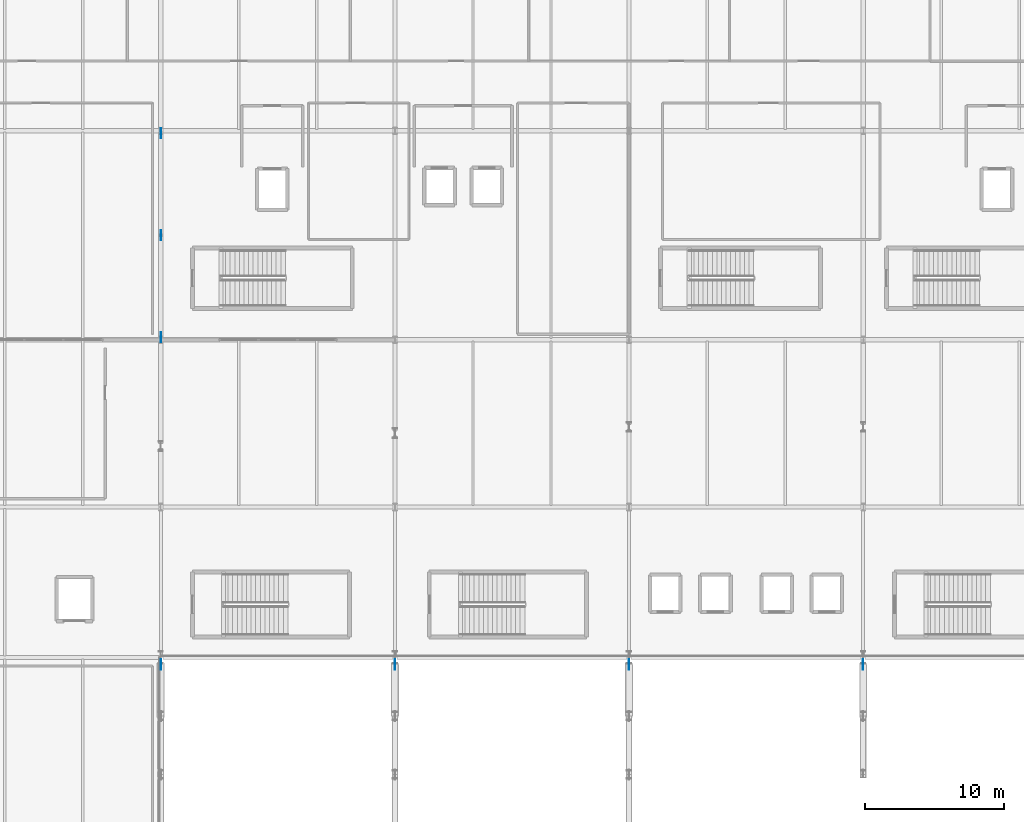
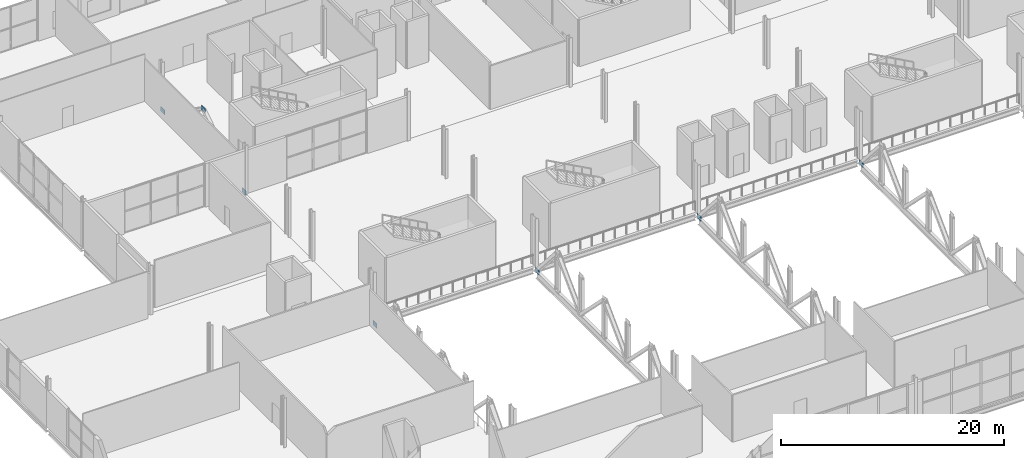
# One storey, part 56 of 84: 7 plates.
"""IFC4 building model written with IfcOpenShell, lengths in metres."""

from ifc_helpers import new_model, si_unit, direction, frame, origin, origin_2d, place, context, subcontext, project, spatial, rectangle, extrude, material, layer, layer_set, type_object, element, save


model = new_model("IFC4")

# Units and contexts
model_context = context("Model", 3, precision=1e-05, world=origin(), true_north=direction((0.0, 1.0)))
body_context = subcontext(model_context, "Body", "Model", "MODEL_VIEW")
ifc_project = project(units=[si_unit("LENGTHUNIT", "METRE"), si_unit("AREAUNIT", "SQUARE_METRE"), si_unit("VOLUMEUNIT", "CUBIC_METRE"), si_unit("PLANEANGLEUNIT", "RADIAN"), si_unit("MASSUNIT", "GRAM", prefix="KILO")], contexts=[model_context])

# Site, building, storey
site_placement = place(None, origin())
site = spatial("IfcSite", under=ifc_project, at=site_placement, CompositionType="ELEMENT")
building_placement = place(site_placement, origin())
building = spatial("IfcBuilding", under=site, at=building_placement, Name="Kimbaza Rail Terminus", CompositionType="ELEMENT")
storey_placement = place(building_placement, frame((0.0, 0.0, 5.39990234375)))
storey = spatial("IfcBuildingStorey", under=building, at=storey_placement, Name="L01", CompositionType="ELEMENT", Elevation=5.39990234375)

# Plates
ifc_material = material(Name="Steel S355", Category="steel")
ifc_layer = layer(ifc_material, 0.034912109375)
ifc_layer_set = layer_set([ifc_layer], Name="Steel S355")
plate_type = type_object("IfcPlateType", Name="STR-PL-WT01", PredefinedType="USERDEFINED", material=ifc_layer_set)
for number, where, z_axis, x_axis, name in (
    (1, (72.0, 79.699951171875, -0.52685546875), (0.0, 0.0, 1.0), (1.0, 0.0, 0.0), "Warren Truss End Gusset Plate GP-01 WT-01"),
    (2, (88.800048828125, 79.699951171875, -0.52685546875), (0.0, 0.0, 1.0), (1.0, 0.0, 0.0), "Warren Truss End Gusset Plate GP-01 WT-02"),
    (3, (105.60009765625, 79.699951171875, -0.52685546875), (0.0, 0.0, 1.0), (1.0, 0.0, 0.0), "Warren Truss End Gusset Plate GP-01 WT-03"),
    (4, (122.39990234375, 79.699951171875, -0.52685546875), (0.0, 0.0, 1.0), (1.0, 0.0, 0.0), "Warren Truss End Gusset Plate GP-01 WT-04"),
    (5, (72.0, 103.179931640625, -0.199951171875), (0.0, 0.0, 1.0), (1.0, 0.0, 0.0), "Chevron Brace Gusset Plate GP-01 2-S"),
    (6, (72.0, 110.5, 4.41015625), (0.0, 0.0, 1.0), (1.0, 0.0, 0.0), "Chevron Brace Gusset Plate GP-01 2-M"),
    (7, (72.0, 117.820068359375, -0.199951171875), (0.0, 0.0, 1.0), (1.0, 0.0, 0.0), "Chevron Brace Gusset Plate GP-01 2-N"),
):
    element("IfcPlate", number, at=place(storey_placement, frame(where, z_axis=z_axis, x_axis=x_axis)), inside=storey, type_object=plate_type, Name=name, ObjectType="GUSSET PLATE", PredefinedType="USERDEFINED", context=body_context, shape_type="SweptSolid", body=[
        extrude(rectangle(XDim=0.034912109375, YDim=0.719970703125, at=origin_2d()), origin(), (0.0, 0.0, 1.0), 0.5),
    ])

save(model, "model.ifc")
